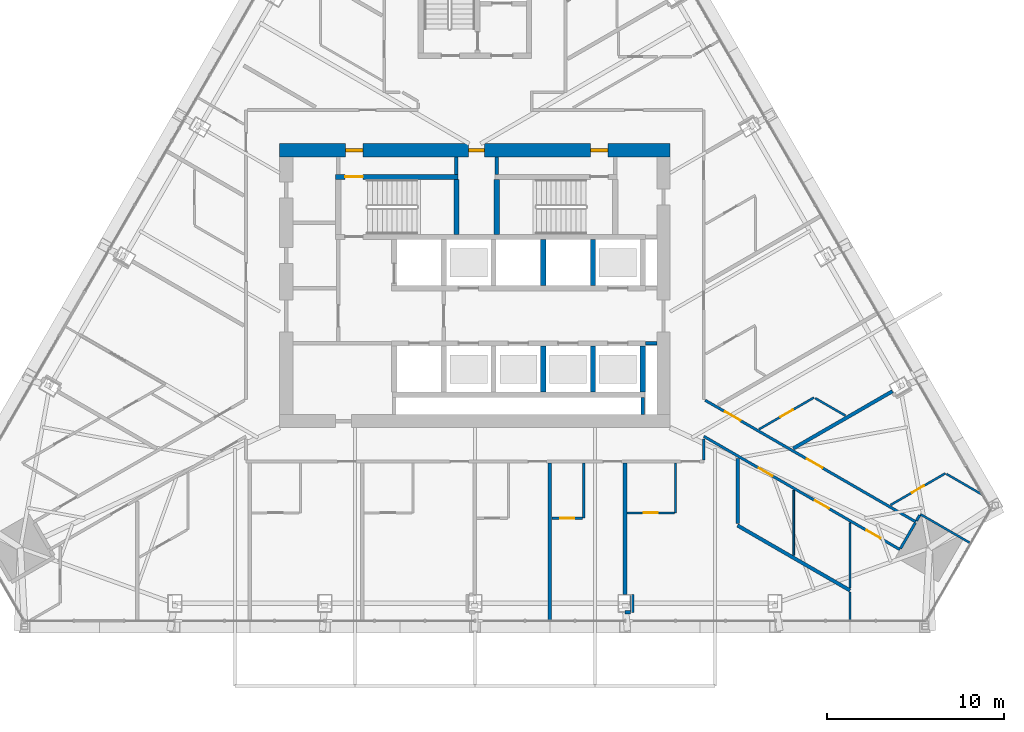
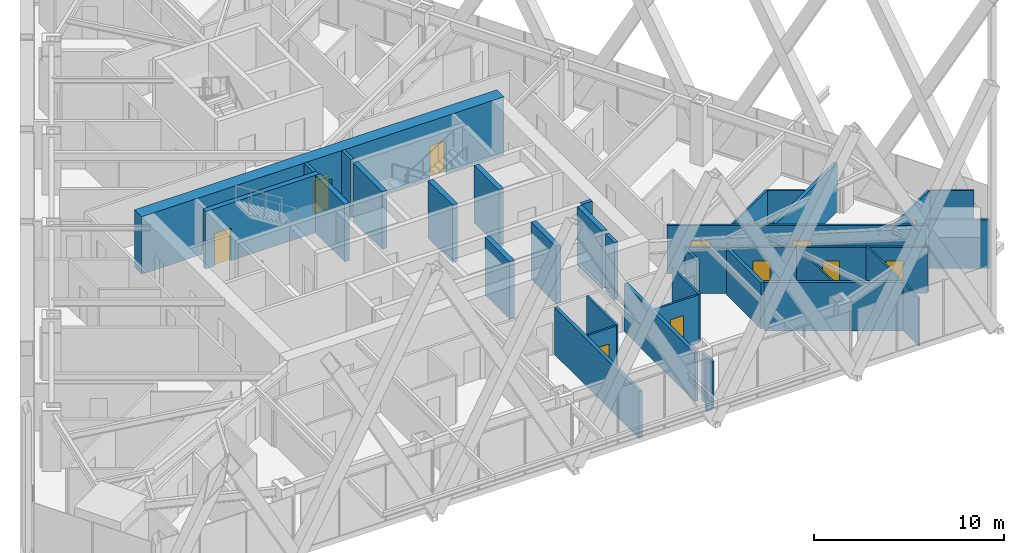
# One storey, part 14 of 19: 37 walls, 13 doors, 13 openings.
"""IFC4 building model written with IfcOpenShell, lengths in metres."""

from ifc_helpers import new_model, si_unit, direction, frame, frame_2d, origin, place, context, subcontext, project, spatial, rectangle, extrude, material, layer, layer_set, type_object, element, fill, save


model = new_model("IFC4")

# Units and contexts
model_context = context("Model", 3, precision=1e-05, world=origin(), true_north=direction((0.0, 1.0)))
body_context = subcontext(model_context, "Body", "Model", "MODEL_VIEW")
ifc_project = project(units=[si_unit("LENGTHUNIT", "METRE"), si_unit("AREAUNIT", "SQUARE_METRE"), si_unit("VOLUMEUNIT", "CUBIC_METRE"), si_unit("PLANEANGLEUNIT", "RADIAN"), si_unit("MASSUNIT", "GRAM", prefix="KILO")], contexts=[model_context])

# Site, building, storey
site_placement = place(None, origin())
site = spatial("IfcSite", under=ifc_project, at=site_placement, CompositionType="ELEMENT")
building_placement = place(site_placement, origin())
building = spatial("IfcBuilding", under=site, at=building_placement, Name="Firuza Gate Tower and Library", CompositionType="ELEMENT")
storey_placement = place(building_placement, frame((0.0, 0.0, 218.199951171875)))
storey = spatial("IfcBuildingStorey", under=building, at=storey_placement, Name="L51", CompositionType="ELEMENT", Elevation=218.199951171875)

# Walls
ifc_material_1 = material(Name="Plasterboard on steel studs", Category="steel")
ifc_layer_1 = layer(ifc_material_1, 0.199951171875)
ifc_layer_set_1 = layer_set([ifc_layer_1], Name="Core partition 200 EI 120")
wall_type_1 = type_object("IfcWallType", Name="Core partition 200 EI 120", PredefinedType="PARTITIONING", material=ifc_layer_set_1)
wall_1_placement = place(storey_placement, frame((84.60009765625, 71.75, 0.0), z_axis=(0.0, 0.0, 1.0), x_axis=(1.0, 0.0, 0.0)))
element("IfcWall", 1, at=wall_1_placement, inside=storey, type_object=wall_type_1, Name="Core partition L51 2", PredefinedType="PARTITIONING", context=body_context, shape_type="SweptSolid", body=[
    extrude(rectangle(XDim=0.64990234375, YDim=0.199951171875, at=frame_2d((0.324951171875, 0.0))), origin(), (0.0, 0.0, 1.0), 3.699951171875),
])
wall_2_placement = place(storey_placement, frame((84.449951171875, 67.75, 0.0), z_axis=(0.0, 0.0, 1.0), x_axis=(0.0, 1.0, 0.0)))
element("IfcWall", 2, at=wall_2_placement, inside=storey, type_object=wall_type_1, Name="Core partition L51 14", PredefinedType="PARTITIONING", context=body_context, shape_type="SweptSolid", body=[
    extrude(rectangle(XDim=0.949951171875, YDim=0.199951171875, at=frame_2d((0.47509765625, 0.0))), origin(), (0.0, 0.0, 1.0), 3.699951171875),
])
ifc_material_2 = material(Name="Plasterboard on steel studs", Category="steel")
ifc_layer_2 = layer(ifc_material_2, 0.199951171875)
ifc_layer_set_2 = layer_set([ifc_layer_2], Name="Core partition 200 EI 60")
wall_type_2 = type_object("IfcWallType", Name="Core partition 200 EI 60", PredefinedType="PARTITIONING", material=ifc_layer_set_2)
for number, where, z_axis, x_axis, name in (
    (3, (73.9599609375, 81.280029296875, 0.0), (0.0, 0.0, 1.0), (0.0, 1.0, 0.0), "Core partition L51 11"),
    (4, (76.239990234375, 81.280029296875, 0.0), (0.0, 0.0, 1.0), (0.0, 1.0, 0.0), "Core partition L51 12"),
):
    element("IfcWall", number, at=place(storey_placement, frame(where, z_axis=z_axis, x_axis=x_axis)), inside=storey, type_object=wall_type_2, Name=name, PredefinedType="PARTITIONING", context=body_context, shape_type="SweptSolid", body=[
        extrude(rectangle(XDim=0.969970703125, YDim=0.199951171875, at=frame_2d((0.48486328125, 0.0))), origin(), (0.0, 0.0, 1.0), 3.699951171875),
    ])
ifc_material_3 = material(Name="Concrete C80/95", Category="concrete")
ifc_layer_3 = layer(ifc_material_3, 0.300048828125)
ifc_layer_set_3 = layer_set([ifc_layer_3], Name="Core wall 300 C80/95")
wall_type_3 = type_object("IfcWallType", Name="Core wall 300 C80/95", PredefinedType="SHEAR", material=ifc_layer_set_3)
for number, where, z_axis, x_axis, name in (
    (5, (78.85009765625, 69.0, 0.0), (0.0, 0.0, 1.0), (0.0, 1.0, 0.0), "Core wall L51 14"),
    (6, (78.85009765625, 75.0, 0.0), (0.0, 0.0, 1.0), (0.0, 1.0, 0.0), "Core wall L51 15"),
    (7, (81.64990234375, 69.0, 0.0), (0.0, 0.0, 1.0), (0.0, 1.0, 0.0), "Core wall L51 16"),
    (8, (81.64990234375, 75.0, 0.0), (0.0, 0.0, 1.0), (0.0, 1.0, 0.0), "Core wall L51 17"),
    (9, (84.449951171875, 69.0, 0.0), (0.0, 0.0, 1.0), (0.0, 1.0, 0.0), "Core wall L51 18"),
):
    element("IfcWall", number, at=place(storey_placement, frame(where, z_axis=z_axis, x_axis=x_axis)), inside=storey, type_object=wall_type_3, Name=name, PredefinedType="SHEAR", context=body_context, shape_type="SweptSolid", body=[
        extrude(rectangle(XDim=2.60009765625, YDim=0.300048828125, at=frame_2d((1.300048828125, 0.0))), origin(), (0.0, 0.0, 1.0), 3.699951171875),
    ])

# Wall, opening, door
wall_3_placement = place(storey_placement, frame((67.14990234375, 81.1298828125, 0.0), z_axis=(0.0, 0.0, 1.0), x_axis=(1.0, 0.0, 0.0)))
wall_3 = element("IfcWall", 10, at=wall_3_placement, inside=storey, type_object=wall_type_3, Name="Core wall L51 21", PredefinedType="SHEAR", context=body_context, shape_type="SweptSolid", body=[
    extrude(rectangle(XDim=6.91015625, YDim=0.300048828125, at=frame_2d((3.455078125, 0.0))), origin(), (0.0, 0.0, 1.0), 3.699951171875),
])
opening_1_placement = place(wall_3_placement, frame((0.544921875, 0.0, 0.0)))
opening_1 = element("IfcOpeningElement", 11, at=opening_1_placement, cuts=wall_3, Name="Opening L51-K11", PredefinedType="OPENING", context=body_context, shape_type="SweptSolid", body=[
    extrude(rectangle(XDim=1.0, YDim=2.10009765625, at=frame_2d((0.5, 1.050048828125))), frame((0.0, 0.16015625, 0.0), z_axis=(0.0, -1.0, 0.0), x_axis=(1.0, 0.0, 0.0)), (0.0, 0.0, 1.0), 0.320068359375),
])
ifc_material_4 = material(Name="Steel", Category="steel")
door_type_1 = type_object("IfcDoorType", Name="Fire door 1000x2100 FD90", OperationType="NOTDEFINED", PredefinedType="DOOR", material=ifc_material_4)
door_1_placement = place(opening_1_placement, origin())
door_1 = element("IfcDoor", 12, at=door_1_placement, inside=storey, type_object=door_type_1, Name="Door L51-K11", OperationType="SINGLE_SWING_RIGHT", OverallHeight=2.10009765625, OverallWidth=1.0, PredefinedType="DOOR", context=body_context, shape_type="SweptSolid", body=[
    extrude(rectangle(XDim=1.0, YDim=2.10009765625, at=frame_2d((0.5, 1.050048828125))), frame((0.0, 0.02490234375, 0.0), z_axis=(0.0, -1.0, 0.0), x_axis=(1.0, 0.0, 0.0)), (0.0, 0.0, 1.0), 0.050048828125),
])
fill(opening_1, door_1)

# Walls
for number, where, z_axis, x_axis, name in (
    (13, (73.9599609375, 77.89990234375, 0.0), (0.0, 0.0, 1.0), (0.0, 1.0, 0.0), "Core wall L51 24"),
    (14, (76.239990234375, 77.89990234375, 0.0), (0.0, 0.0, 1.0), (0.0, 1.0, 0.0), "Core wall L51 25"),
):
    element("IfcWall", number, at=place(storey_placement, frame(where, z_axis=z_axis, x_axis=x_axis)), inside=storey, type_object=wall_type_3, Name=name, PredefinedType="SHEAR", context=body_context, shape_type="SweptSolid", body=[
        extrude(rectangle(XDim=3.080078125, YDim=0.300048828125, at=frame_2d((1.5400390625, 0.0))), origin(), (0.0, 0.0, 1.0), 3.699951171875),
    ])

# Wall, openings, doors
ifc_material_5 = material(Name="Concrete C80/95", Category="concrete")
ifc_layer_4 = layer(ifc_material_5, 0.75)
ifc_layer_set_4 = layer_set([ifc_layer_4], Name="Core wall 750 C80/95")
wall_type_4 = type_object("IfcWallType", Name="Core wall 750 C80/95", PredefinedType="SHEAR", material=ifc_layer_set_4)
wall_4_placement = place(storey_placement, frame((64.0, 82.625, 0.0), z_axis=(0.0, 0.0, 1.0), x_axis=(1.0, 0.0, 0.0)))
wall_4 = element("IfcWall", 15, at=wall_4_placement, inside=storey, type_object=wall_type_4, Name="Core wall L51 2", PredefinedType="SHEAR", context=body_context, shape_type="SweptSolid", body=[
    extrude(rectangle(XDim=22.0, YDim=0.75, at=frame_2d((11.0, 0.0))), origin(), (0.0, 0.0, 1.0), 3.699951171875),
])
opening_2_placement = place(wall_4_placement, frame((3.695068359375, 0.0, 0.0)))
opening_2 = element("IfcOpeningElement", 16, at=opening_2_placement, cuts=wall_4, Name="Opening L51-K12", PredefinedType="OPENING", context=body_context, shape_type="SweptSolid", body=[
    extrude(rectangle(XDim=1.0, YDim=2.10009765625, at=frame_2d((0.5, 1.050048828125))), frame((0.0, 0.385009765625, 0.0), z_axis=(0.0, -1.0, 0.0), x_axis=(1.0, 0.0, 0.0)), (0.0, 0.0, 1.0), 0.77001953125),
])
opening_3_placement = place(wall_4_placement, frame((17.5048828125, 0.0, 0.0)))
opening_3 = element("IfcOpeningElement", 17, at=opening_3_placement, cuts=wall_4, Name="Opening L51-K14", PredefinedType="OPENING", context=body_context, shape_type="SweptSolid", body=[
    extrude(rectangle(XDim=1.0, YDim=2.10009765625, at=frame_2d((0.5, 1.050048828125))), frame((0.0, 0.385009765625, 0.0), z_axis=(0.0, -1.0, 0.0), x_axis=(1.0, 0.0, 0.0)), (0.0, 0.0, 1.0), 0.77001953125),
])
opening_4_placement = place(wall_4_placement, frame((10.64990234375, 0.0, 0.0)))
opening_4 = element("IfcOpeningElement", 18, at=opening_4_placement, cuts=wall_4, Name="Opening L51-K25", PredefinedType="OPENING", context=body_context, shape_type="SweptSolid", body=[
    extrude(rectangle(XDim=0.89990234375, YDim=2.10009765625, at=frame_2d((0.449951171875, 1.050048828125))), frame((0.0, 0.385009765625, 0.0), z_axis=(0.0, -1.0, 0.0), x_axis=(1.0, 0.0, 0.0)), (0.0, 0.0, 1.0), 0.77001953125),
])
door_2_placement = place(opening_2_placement, origin())
door_2 = element("IfcDoor", 19, at=door_2_placement, inside=storey, type_object=door_type_1, Name="Door L51-K12", OperationType="SINGLE_SWING_LEFT", OverallHeight=2.10009765625, OverallWidth=1.0, PredefinedType="DOOR", context=body_context, shape_type="SweptSolid", body=[
    extrude(rectangle(XDim=1.0, YDim=2.10009765625, at=frame_2d((0.5, 1.050048828125))), frame((0.0, 0.094970703125, 0.0), z_axis=(0.0, -1.0, 0.0), x_axis=(1.0, 0.0, 0.0)), (0.0, 0.0, 1.0), 0.18994140625),
])
fill(opening_2, door_2)
door_3_placement = place(opening_3_placement, origin())
door_3 = element("IfcDoor", 20, at=door_3_placement, inside=storey, type_object=door_type_1, Name="Door L51-K14", OperationType="SINGLE_SWING_LEFT", OverallHeight=2.10009765625, OverallWidth=1.0, PredefinedType="DOOR", context=body_context, shape_type="SweptSolid", body=[
    extrude(rectangle(XDim=1.0, YDim=2.10009765625, at=frame_2d((0.5, 1.050048828125))), frame((0.0, 0.094970703125, 0.0), z_axis=(0.0, -1.0, 0.0), x_axis=(1.0, 0.0, 0.0)), (0.0, 0.0, 1.0), 0.18994140625),
])
fill(opening_3, door_3)
ifc_material_6 = material(Name="Steel", Category="steel")
door_type_2 = type_object("IfcDoorType", Name="Fire door 900x2100 FD30S", OperationType="NOTDEFINED", PredefinedType="DOOR", material=ifc_material_6)
door_4_placement = place(opening_4_placement, origin())
door_4 = element("IfcDoor", 21, at=door_4_placement, inside=storey, type_object=door_type_2, Name="Door L51-K25", OperationType="SINGLE_SWING_RIGHT", OverallHeight=2.10009765625, OverallWidth=0.89990234375, PredefinedType="DOOR", context=body_context, shape_type="SweptSolid", body=[
    extrude(rectangle(XDim=0.89990234375, YDim=2.10009765625, at=frame_2d((0.449951171875, 1.050048828125))), frame((0.0, 0.094970703125, 0.0), z_axis=(0.0, -1.0, 0.0), x_axis=(1.0, 0.0, 0.0)), (0.0, 0.0, 1.0), 0.18994140625),
])
fill(opening_4, door_4)

# Walls
ifc_material_7 = material(Name="Gypsum board partition")
ifc_layer_5 = layer(ifc_material_7, 0.14990234375)
ifc_layer_set_5 = layer_set([ifc_layer_5], Name="Corridor wall 150 double board on steel studs")
wall_type_5 = type_object("IfcWallType", Name="Corridor wall 150 double board on steel studs", PredefinedType="PARTITIONING", material=ifc_layer_set_5)
wall_5_placement = place(storey_placement, frame((98.98388671875, 60.200927734375, 0.0), z_axis=(0.0, 0.0, 1.0), x_axis=(0.499991515992, 0.866030301974, 0.0)))
element("IfcWall", 22, at=wall_5_placement, inside=storey, type_object=wall_type_5, Name="f:L51:w043", PredefinedType="PARTITIONING", context=body_context, shape_type="SweptSolid", body=[
    extrude(rectangle(XDim=1.6494140625, YDim=0.14990234375, at=frame_2d((0.82470703125, 0.0))), origin(), (0.0, 0.0, 1.0), 2.947021484375),
])
wall_6_placement = place(storey_placement, frame((87.89990234375, 65.175537109375, 0.0), z_axis=(0.0, 0.0, 1.0), x_axis=(0.0, 1.0, 0.0)))
element("IfcWall", 23, at=wall_6_placement, inside=storey, type_object=wall_type_5, Name="f:L51:w054", PredefinedType="PARTITIONING", context=body_context, shape_type="SweptSolid", body=[
    extrude(rectangle(XDim=1.20068359375, YDim=0.14990234375, at=frame_2d((0.600341796875, 0.0))), origin(), (0.0, 0.0, 1.0), 2.947021484375),
])

# Wall, openings, doors
wall_7_placement = place(storey_placement, frame((87.97509765625, 68.548095703125, 0.0), z_axis=(0.0, 0.0, 1.0), x_axis=(0.866024823711, -0.500001004715, 0.0)))
wall_7 = element("IfcWall", 24, at=wall_7_placement, inside=storey, type_object=wall_type_5, Name="f:L51:w107", PredefinedType="PARTITIONING", context=body_context, shape_type="SweptSolid", body=[
    extrude(rectangle(XDim=13.70703125, YDim=0.14990234375, at=frame_2d((6.853515625, 0.0))), origin(), (0.0, 0.0, 1.0), 3.10009765625),
])
opening_5_placement = place(wall_7_placement, frame((1.28271484375, 0.0, 0.0)))
opening_5 = element("IfcOpeningElement", 25, at=opening_5_placement, cuts=wall_7, Name="Opening L51-43", PredefinedType="OPENING", context=body_context, shape_type="SweptSolid", body=[
    extrude(rectangle(XDim=1.0, YDim=2.10009765625, at=frame_2d((0.5, 1.050048828125))), frame((0.0, 0.0849609375, 0.0), z_axis=(0.0, -1.0, 0.0), x_axis=(1.0, 0.0, 0.0)), (0.0, 0.0, 1.0), 0.169921875),
])
opening_6_placement = place(wall_7_placement, frame((6.620361328125, 0.0, 0.0)))
opening_6 = element("IfcOpeningElement", 26, at=opening_6_placement, cuts=wall_7, Name="Opening L51-44", PredefinedType="OPENING", context=body_context, shape_type="SweptSolid", body=[
    extrude(rectangle(XDim=1.0, YDim=2.10009765625, at=frame_2d((0.5, 1.050048828125))), frame((0.0, 0.0849609375, 0.0), z_axis=(0.0, -1.0, 0.0), x_axis=(1.0, 0.0, 0.0)), (0.0, 0.0, 1.0), 0.169921875),
])
ifc_material_8 = material(Name="Steel door and timber leaf", Category="steel")
door_type_3 = type_object("IfcDoorType", Name="Fire door 1000 x 2100 steel frame, timber leaf", OperationType="NOTDEFINED", PredefinedType="DOOR", material=ifc_material_8)
door_5_placement = place(opening_5_placement, origin())
door_5 = element("IfcDoor", 27, at=door_5_placement, inside=storey, type_object=door_type_3, Name="f:L51:d043", OperationType="SINGLE_SWING_LEFT", OverallHeight=2.10009765625, OverallWidth=1.0, PredefinedType="DOOR", context=body_context, shape_type="SweptSolid", body=[
    extrude(rectangle(XDim=1.0, YDim=2.10009765625, at=frame_2d((0.5, 1.050048828125))), frame((0.0, 0.02490234375, 0.0), z_axis=(0.0, -1.0, 0.0), x_axis=(1.0, 0.0, 0.0)), (0.0, 0.0, 1.0), 0.050048828125),
])
fill(opening_5, door_5)
door_6_placement = place(opening_6_placement, origin())
door_6 = element("IfcDoor", 28, at=door_6_placement, inside=storey, type_object=door_type_3, Name="f:L51:d044", OperationType="SINGLE_SWING_LEFT", OverallHeight=2.10009765625, OverallWidth=1.0, PredefinedType="DOOR", context=body_context, shape_type="SweptSolid", body=[
    extrude(rectangle(XDim=1.0, YDim=2.10009765625, at=frame_2d((0.5, 1.050048828125))), frame((0.0, 0.02490234375, 0.0), z_axis=(0.0, -1.0, 0.0), x_axis=(1.0, 0.0, 0.0)), (0.0, 0.0, 1.0), 0.050048828125),
])
fill(opening_6, door_6)

wall_8_placement = place(storey_placement, frame((98.9453125, 60.135986328125, 0.0), z_axis=(0.0, 0.0, 1.0), x_axis=(-0.866024604137, 0.500001385028, 0.0)))
wall_8 = element("IfcWall", 29, at=wall_8_placement, inside=storey, type_object=wall_type_5, Name="f:L51:w108", PredefinedType="PARTITIONING", context=body_context, shape_type="SweptSolid", body=[
    extrude(rectangle(XDim=12.75390625, YDim=0.14990234375, at=frame_2d((6.376953125, 0.0))), origin(), (0.0, 0.0, 1.0), 2.947021484375),
])
opening_7_placement = place(wall_8_placement, frame((1.271484375, 0.0, 0.0)))
opening_7 = element("IfcOpeningElement", 30, at=opening_7_placement, cuts=wall_8, Name="Opening L51-45", PredefinedType="OPENING", context=body_context, shape_type="SweptSolid", body=[
    extrude(rectangle(XDim=0.89990234375, YDim=2.10009765625, at=frame_2d((0.449951171875, 1.050048828125))), frame((0.0, 0.0849609375, 0.0), z_axis=(0.0, -1.0, 0.0), x_axis=(1.0, 0.0, 0.0)), (0.0, 0.0, 1.0), 0.169921875),
])
opening_8_placement = place(wall_8_placement, frame((4.62060546875, 0.0, 0.0)))
opening_8 = element("IfcOpeningElement", 31, at=opening_8_placement, cuts=wall_8, Name="Opening L51-46", PredefinedType="OPENING", context=body_context, shape_type="SweptSolid", body=[
    extrude(rectangle(XDim=0.89990234375, YDim=2.10009765625, at=frame_2d((0.449951171875, 1.050048828125))), frame((0.0, 0.0849609375, 0.0), z_axis=(0.0, -1.0, 0.0), x_axis=(1.0, 0.0, 0.0)), (0.0, 0.0, 1.0), 0.169921875),
])
opening_9_placement = place(wall_8_placement, frame((8.281982421875, 0.0, 0.0)))
opening_9 = element("IfcOpeningElement", 32, at=opening_9_placement, cuts=wall_8, Name="Opening L51-47", PredefinedType="OPENING", context=body_context, shape_type="SweptSolid", body=[
    extrude(rectangle(XDim=0.89990234375, YDim=2.10009765625, at=frame_2d((0.449951171875, 1.050048828125))), frame((0.0, 0.0849609375, 0.0), z_axis=(0.0, -1.0, 0.0), x_axis=(1.0, 0.0, 0.0)), (0.0, 0.0, 1.0), 0.169921875),
])
ifc_material_9 = material(Name="Steel door and timber leaf", Category="steel")
door_type_4 = type_object("IfcDoorType", Name="Fire door 900 x 2100 steel frame, timber leaf", OperationType="NOTDEFINED", PredefinedType="DOOR", material=ifc_material_9)
door_7_placement = place(opening_7_placement, origin())
door_7 = element("IfcDoor", 33, at=door_7_placement, inside=storey, type_object=door_type_4, Name="f:L51:d045", OperationType="SINGLE_SWING_LEFT", OverallHeight=2.10009765625, OverallWidth=0.89990234375, PredefinedType="DOOR", context=body_context, shape_type="SweptSolid", body=[
    extrude(rectangle(XDim=0.89990234375, YDim=2.10009765625, at=frame_2d((0.449951171875, 1.050048828125))), frame((0.0, 0.02490234375, 0.0), z_axis=(0.0, -1.0, 0.0), x_axis=(1.0, 0.0, 0.0)), (0.0, 0.0, 1.0), 0.050048828125),
])
fill(opening_7, door_7)
door_8_placement = place(opening_8_placement, origin())
door_8 = element("IfcDoor", 34, at=door_8_placement, inside=storey, type_object=door_type_4, Name="f:L51:d046", OperationType="SINGLE_SWING_RIGHT", OverallHeight=2.10009765625, OverallWidth=0.89990234375, PredefinedType="DOOR", context=body_context, shape_type="SweptSolid", body=[
    extrude(rectangle(XDim=0.89990234375, YDim=2.10009765625, at=frame_2d((0.449951171875, 1.050048828125))), frame((0.0, 0.02490234375, 0.0), z_axis=(0.0, -1.0, 0.0), x_axis=(1.0, 0.0, 0.0)), (0.0, 0.0, 1.0), 0.050048828125),
])
fill(opening_8, door_8)
door_9_placement = place(opening_9_placement, origin())
door_9 = element("IfcDoor", 35, at=door_9_placement, inside=storey, type_object=door_type_4, Name="f:L51:d047", OperationType="SINGLE_SWING_LEFT", OverallHeight=2.10009765625, OverallWidth=0.89990234375, PredefinedType="DOOR", context=body_context, shape_type="SweptSolid", body=[
    extrude(rectangle(XDim=0.89990234375, YDim=2.10009765625, at=frame_2d((0.449951171875, 1.050048828125))), frame((0.0, 0.02490234375, 0.0), z_axis=(0.0, -1.0, 0.0), x_axis=(1.0, 0.0, 0.0)), (0.0, 0.0, 1.0), 0.050048828125),
])
fill(opening_9, door_9)

# Walls
wall_9_placement = place(storey_placement, frame((99.883544921875, 61.759521484375, 0.0), z_axis=(0.0, 0.0, 1.0), x_axis=(0.500031897912, 0.866006986733, 0.0)))
element("IfcWall", 36, at=wall_9_placement, inside=storey, type_object=wall_type_5, Name="f:L51:w122", PredefinedType="PARTITIONING", context=body_context, shape_type="SweptSolid", body=[
    extrude(rectangle(XDim=0.3642578125, YDim=0.14990234375, at=frame_2d((0.18212890625, 0.0))), origin(), (0.0, 0.0, 1.0), 3.10009765625),
])
ifc_material_10 = material(Name="Gypsum board partition")
ifc_layer_6 = layer(ifc_material_10, 0.199951171875)
ifc_layer_set_6 = layer_set([ifc_layer_6], Name="Demising wall 200 acoustic double stud")
wall_type_6 = type_object("IfcWallType", Name="Demising wall 200 acoustic double stud", PredefinedType="PARTITIONING", material=ifc_layer_set_6)
wall_10_placement = place(storey_placement, frame((83.45556640625, 56.596923828125, 0.0), z_axis=(0.0, 0.0, 1.0), x_axis=(1.0, 0.0, 0.0)))
element("IfcWall", 37, at=wall_10_placement, inside=storey, type_object=wall_type_6, Name="f:L51:w001", PredefinedType="PARTITIONING", context=body_context, shape_type="SweptSolid", body=[
    extrude(rectangle(XDim=0.299560546875, YDim=0.199951171875, at=frame_2d((0.14990234375, 0.0))), origin(), (0.0, 0.0, 1.0), 3.10009765625),
])
wall_11_placement = place(storey_placement, frame((92.93798828125, 65.82958984375, 0.0), z_axis=(0.0, 0.0, 1.0), x_axis=(0.866041300655, 0.499972464802, 0.0)))
element("IfcWall", 38, at=wall_11_placement, inside=storey, type_object=wall_type_6, Name="f:L51:w020", PredefinedType="PARTITIONING", context=body_context, shape_type="SweptSolid", body=[
    extrude(rectangle(XDim=6.452392578125, YDim=0.199951171875, at=frame_2d((3.22607421875, 0.0))), origin(), (0.0, 0.0, 1.0), 3.10009765625),
])
wall_12_placement = place(storey_placement, frame((89.797119140625, 61.60693359375, 0.0), z_axis=(0.0, 0.0, 1.0), x_axis=(0.0, 1.0, 0.0)))
element("IfcWall", 39, at=wall_12_placement, inside=storey, type_object=wall_type_6, Name="f:L51:w053", PredefinedType="PARTITIONING", context=body_context, shape_type="SweptSolid", body=[
    extrude(rectangle(XDim=3.6640625, YDim=0.199951171875, at=frame_2d((1.83203125, 0.0))), origin(), (0.0, 0.0, 1.0), 2.947021484375),
])
wall_13_placement = place(storey_placement, frame((83.85595703125, 56.597900390625, 0.0), z_axis=(0.0, 0.0, 1.0), x_axis=(0.0, 1.0, 0.0)))
element("IfcWall", 40, at=wall_13_placement, inside=storey, type_object=wall_type_6, Name="f:L51:w057", PredefinedType="PARTITIONING", context=body_context, shape_type="SweptSolid", body=[
    extrude(rectangle(XDim=0.9990234375, YDim=0.199951171875, at=frame_2d((0.49951171875, 0.0))), origin(), (0.0, 0.0, 1.0), 3.02197265625),
])
wall_14_placement = place(storey_placement, frame((83.4560546875, 57.597412109375, 0.0), z_axis=(0.0, 0.0, 1.0), x_axis=(0.0, 1.0, 0.0)))
element("IfcWall", 41, at=wall_14_placement, inside=storey, type_object=wall_type_6, Name="f:L51:w058", PredefinedType="PARTITIONING", context=body_context, shape_type="SweptSolid", body=[
    extrude(rectangle(XDim=7.427490234375, YDim=0.199951171875, at=frame_2d((3.7138671875, 0.0))), origin(), (0.0, 0.0, 1.0), 3.10009765625),
])
wall_15_placement = place(storey_placement, frame((79.22802734375, 56.137451171875, 0.0), z_axis=(0.0, 0.0, 1.0), x_axis=(0.0, 1.0, 0.0)))
element("IfcWall", 42, at=wall_15_placement, inside=storey, type_object=wall_type_6, Name="f:L51:w064", PredefinedType="PARTITIONING", context=body_context, shape_type="SweptSolid", body=[
    extrude(rectangle(XDim=8.887451171875, YDim=0.199951171875, at=frame_2d((4.44384765625, 0.0))), origin(), (0.0, 0.0, 1.0), 3.02197265625),
])
wall_16_placement = place(storey_placement, frame((96.13916015625, 57.830078125, 0.0), z_axis=(0.0, 0.0, 1.0), x_axis=(-0.866014584968, 0.500018738272, 0.0)))
element("IfcWall", 43, at=wall_16_placement, inside=storey, type_object=wall_type_6, Name="f:L51:w110", PredefinedType="PARTITIONING", context=body_context, shape_type="SweptSolid", body=[
    extrude(rectangle(XDim=7.322998046875, YDim=0.199951171875, at=frame_2d((3.66162109375, 0.0))), origin(), (0.0, 0.0, 1.0), 3.10009765625),
])
ifc_material_11 = material(Name="Gypsum board partition")
ifc_layer_7 = layer(ifc_material_11, 0.10009765625)
ifc_layer_set_7 = layer_set([ifc_layer_7], Name="Partition 100 gypsum board on steel studs")
wall_type_7 = type_object("IfcWallType", Name="Partition 100 gypsum board on steel studs", PredefinedType="PARTITIONING", material=ifc_layer_set_7)
wall_17_placement = place(storey_placement, frame((96.138916015625, 56.137451171875, 0.0), z_axis=(0.0, 0.0, 1.0), x_axis=(0.0, 1.0, 0.0)))
element("IfcWall", 44, at=wall_17_placement, inside=storey, type_object=wall_type_7, Name="f:L51:w049", PredefinedType="PARTITIONING", context=body_context, shape_type="SweptSolid", body=[
    extrude(rectangle(XDim=1.606201171875, YDim=0.10009765625, at=frame_2d((0.80322265625, 0.0))), origin(), (0.0, 0.0, 1.0), 3.10009765625),
])
wall_18_placement = place(storey_placement, frame((92.968017578125, 59.80615234375, 0.0), z_axis=(0.0, 0.0, 1.0), x_axis=(0.0, 1.0, 0.0)))
element("IfcWall", 45, at=wall_18_placement, inside=storey, type_object=wall_type_7, Name="f:L51:w050", PredefinedType="PARTITIONING", context=body_context, shape_type="SweptSolid", body=[
    extrude(rectangle(XDim=3.6640625, YDim=0.10009765625, at=frame_2d((1.83203125, 0.0))), origin(), (0.0, 0.0, 1.0), 3.10009765625),
])
wall_19_placement = place(storey_placement, frame((96.138916015625, 57.974609375, 0.0), z_axis=(0.0, 0.0, 1.0), x_axis=(0.0, 1.0, 0.0)))
element("IfcWall", 46, at=wall_19_placement, inside=storey, type_object=wall_type_7, Name="f:L51:w123", PredefinedType="PARTITIONING", context=body_context, shape_type="SweptSolid", body=[
    extrude(rectangle(XDim=3.664794921875, YDim=0.10009765625, at=frame_2d((1.83251953125, 0.0))), origin(), (0.0, 0.0, 1.0), 3.10009765625),
])

# Wall, opening, door
ifc_material_12 = material(Name="Gypsum board partition")
ifc_layer_8 = layer(ifc_material_12, 0.1201171875)
ifc_layer_set_8 = layer_set([ifc_layer_8], Name="Wet-area partition 120 moisture-resistant board")
wall_type_8 = type_object("IfcWallType", Name="Wet-area partition 120 moisture-resistant board", PredefinedType="PARTITIONING", material=ifc_layer_set_8)
wall_20_placement = place(storey_placement, frame((79.337890625, 61.89990234375, 0.0), z_axis=(0.0, 0.0, 1.0), x_axis=(1.0, 0.0, 0.0)))
wall_20 = element("IfcWall", 47, at=wall_20_placement, inside=storey, type_object=wall_type_8, Name="f:L51:w004", PredefinedType="PARTITIONING", context=body_context, shape_type="SweptSolid", body=[
    extrude(rectangle(XDim=1.722412109375, YDim=0.1201171875, at=frame_2d((0.861328125, 0.0))), origin(), (0.0, 0.0, 1.0), 3.10009765625),
])
opening_10_placement = place(wall_20_placement, frame((0.461181640625, 0.0, 0.0)))
opening_10 = element("IfcOpeningElement", 48, at=opening_10_placement, cuts=wall_20, Name="Opening L51-02", PredefinedType="OPENING", context=body_context, shape_type="SweptSolid", body=[
    extrude(rectangle(XDim=0.800048828125, YDim=2.10009765625, at=frame_2d((0.39990234375, 1.050048828125))), frame((0.0, 0.070068359375, 0.0), z_axis=(0.0, -1.0, 0.0), x_axis=(1.0, 0.0, 0.0)), (0.0, 0.0, 1.0), 0.14013671875),
])
ifc_material_13 = material(Name="Timber door", Category="wood")
door_type_5 = type_object("IfcDoorType", Name="Door 800 x 2100 timber leaf", OperationType="NOTDEFINED", PredefinedType="DOOR", material=ifc_material_13)
door_10_placement = place(opening_10_placement, origin())
door_10 = element("IfcDoor", 49, at=door_10_placement, inside=storey, type_object=door_type_5, Name="f:L51:d002", OperationType="SINGLE_SWING_RIGHT", OverallHeight=2.10009765625, OverallWidth=0.800048828125, PredefinedType="DOOR", context=body_context, shape_type="SweptSolid", body=[
    extrude(rectangle(XDim=0.800048828125, YDim=2.10009765625, at=frame_2d((0.39990234375, 1.050048828125))), frame((0.0, 0.02490234375, 0.0), z_axis=(0.0, -1.0, 0.0), x_axis=(1.0, 0.0, 0.0)), (0.0, 0.0, 1.0), 0.050048828125),
])
fill(opening_10, door_10)

wall_21_placement = place(storey_placement, frame((83.565673828125, 62.199951171875, 0.0), z_axis=(0.0, 0.0, 1.0), x_axis=(1.0, 0.0, 0.0)))
wall_21 = element("IfcWall", 50, at=wall_21_placement, inside=storey, type_object=wall_type_8, Name="f:L51:w007", PredefinedType="PARTITIONING", context=body_context, shape_type="SweptSolid", body=[
    extrude(rectangle(XDim=2.673828125, YDim=0.1201171875, at=frame_2d((1.3369140625, 0.0))), origin(), (0.0, 0.0, 1.0), 3.10009765625),
])
opening_11_placement = place(wall_21_placement, frame((0.93701171875, 0.0, 0.0)))
opening_11 = element("IfcOpeningElement", 51, at=opening_11_placement, cuts=wall_21, Name="Opening L51-05", PredefinedType="OPENING", context=body_context, shape_type="SweptSolid", body=[
    extrude(rectangle(XDim=0.800048828125, YDim=2.10009765625, at=frame_2d((0.39990234375, 1.050048828125))), frame((0.0, 0.070068359375, 0.0), z_axis=(0.0, -1.0, 0.0), x_axis=(1.0, 0.0, 0.0)), (0.0, 0.0, 1.0), 0.14013671875),
])
door_11_placement = place(opening_11_placement, origin())
door_11 = element("IfcDoor", 52, at=door_11_placement, inside=storey, type_object=door_type_5, Name="f:L51:d005", OperationType="SINGLE_SWING_RIGHT", OverallHeight=2.10009765625, OverallWidth=0.800048828125, PredefinedType="DOOR", context=body_context, shape_type="SweptSolid", body=[
    extrude(rectangle(XDim=0.800048828125, YDim=2.10009765625, at=frame_2d((0.39990234375, 1.050048828125))), frame((0.0, 0.02490234375, 0.0), z_axis=(0.0, -1.0, 0.0), x_axis=(1.0, 0.0, 0.0)), (0.0, 0.0, 1.0), 0.050048828125),
])
fill(opening_11, door_11)

wall_22_placement = place(storey_placement, frame((101.509033203125, 64.429443359375, 0.0), z_axis=(0.0, 0.0, 1.0), x_axis=(-0.866028357664, -0.499994883695, 0.0)))
wall_22 = element("IfcWall", 53, at=wall_22_placement, inside=storey, type_object=wall_type_8, Name="f:L51:w018", PredefinedType="PARTITIONING", context=body_context, shape_type="SweptSolid", body=[
    extrude(rectangle(XDim=3.568359375, YDim=0.1201171875, at=frame_2d((1.7841796875, 0.0))), origin(), (0.0, 0.0, 1.0), 3.10009765625),
])
opening_12_placement = place(wall_22_placement, frame((1.38427734375, 0.0, 0.0)))
opening_12 = element("IfcOpeningElement", 54, at=opening_12_placement, cuts=wall_22, Name="Opening L51-16", PredefinedType="OPENING", context=body_context, shape_type="SweptSolid", body=[
    extrude(rectangle(XDim=0.800048828125, YDim=2.10009765625, at=frame_2d((0.39990234375, 1.050048828125))), frame((0.0, 0.070068359375, 0.0), z_axis=(0.0, -1.0, 0.0), x_axis=(1.0, 0.0, 0.0)), (0.0, 0.0, 1.0), 0.14013671875),
])
door_12_placement = place(opening_12_placement, origin())
door_12 = element("IfcDoor", 55, at=door_12_placement, inside=storey, type_object=door_type_5, Name="f:L51:d016", OperationType="SINGLE_SWING_RIGHT", OverallHeight=2.10009765625, OverallWidth=0.800048828125, PredefinedType="DOOR", context=body_context, shape_type="SweptSolid", body=[
    extrude(rectangle(XDim=0.800048828125, YDim=2.10009765625, at=frame_2d((0.39990234375, 1.050048828125))), frame((0.0, 0.02490234375, 0.0), z_axis=(0.0, -1.0, 0.0), x_axis=(1.0, 0.0, 0.0)), (0.0, 0.0, 1.0), 0.050048828125),
])
fill(opening_12, door_12)

wall_23_placement = place(storey_placement, frame((94.10888671875, 68.70166015625, 0.0), z_axis=(0.0, 0.0, 1.0), x_axis=(-0.866028357664, -0.499994883695, 0.0)))
wall_23 = element("IfcWall", 56, at=wall_23_placement, inside=storey, type_object=wall_type_8, Name="f:L51:w021", PredefinedType="PARTITIONING", context=body_context, shape_type="SweptSolid", body=[
    extrude(rectangle(XDim=3.568359375, YDim=0.1201171875, at=frame_2d((1.7841796875, 0.0))), origin(), (0.0, 0.0, 1.0), 3.10009765625),
])
opening_13_placement = place(wall_23_placement, frame((1.38427734375, 0.0, 0.0)))
opening_13 = element("IfcOpeningElement", 57, at=opening_13_placement, cuts=wall_23, Name="Opening L51-17", PredefinedType="OPENING", context=body_context, shape_type="SweptSolid", body=[
    extrude(rectangle(XDim=0.800048828125, YDim=2.10009765625, at=frame_2d((0.39990234375, 1.050048828125))), frame((0.0, 0.070068359375, 0.0), z_axis=(0.0, -1.0, 0.0), x_axis=(1.0, 0.0, 0.0)), (0.0, 0.0, 1.0), 0.14013671875),
])
door_13_placement = place(opening_13_placement, origin())
door_13 = element("IfcDoor", 58, at=door_13_placement, inside=storey, type_object=door_type_5, Name="f:L51:d017", OperationType="SINGLE_SWING_RIGHT", OverallHeight=2.10009765625, OverallWidth=0.800048828125, PredefinedType="DOOR", context=body_context, shape_type="SweptSolid", body=[
    extrude(rectangle(XDim=0.800048828125, YDim=2.10009765625, at=frame_2d((0.39990234375, 1.050048828125))), frame((0.0, 0.02490234375, 0.0), z_axis=(0.0, -1.0, 0.0), x_axis=(1.0, 0.0, 0.0)), (0.0, 0.0, 1.0), 0.050048828125),
])
fill(opening_13, door_13)

# Walls
wall_24_placement = place(storey_placement, frame((86.30908203125, 62.199951171875, 0.0), z_axis=(0.0, 0.0, 1.0), x_axis=(0.0, 1.0, 0.0)))
element("IfcWall", 59, at=wall_24_placement, inside=storey, type_object=wall_type_8, Name="f:L51:w056", PredefinedType="PARTITIONING", context=body_context, shape_type="SweptSolid", body=[
    extrude(rectangle(XDim=2.824951171875, YDim=0.1201171875, at=frame_2d((1.41259765625, 0.0))), origin(), (0.0, 0.0, 1.0), 3.10009765625),
])
wall_25_placement = place(storey_placement, frame((81.1298828125, 61.89990234375, 0.0), z_axis=(0.0, 0.0, 1.0), x_axis=(0.0, 1.0, 0.0)))
element("IfcWall", 60, at=wall_25_placement, inside=storey, type_object=wall_type_8, Name="f:L51:w062", PredefinedType="PARTITIONING", context=body_context, shape_type="SweptSolid", body=[
    extrude(rectangle(XDim=3.125, YDim=0.1201171875, at=frame_2d((1.5625, 0.0))), origin(), (0.0, 0.0, 1.0), 3.10009765625),
])
wall_26_placement = place(storey_placement, frame((103.57080078125, 63.239013671875, 0.0), z_axis=(0.0, 0.0, 1.0), x_axis=(-0.866011447264, 0.500024172624, 0.0)))
element("IfcWall", 61, at=wall_26_placement, inside=storey, type_object=wall_type_8, Name="f:L51:w102", PredefinedType="PARTITIONING", context=body_context, shape_type="SweptSolid", body=[
    extrude(rectangle(XDim=2.3115234375, YDim=0.1201171875, at=frame_2d((1.15576171875, 0.0))), origin(), (0.0, 0.0, 1.0), 3.10009765625),
])
wall_27_placement = place(storey_placement, frame((95.876708984375, 67.68115234375, 0.0), z_axis=(0.0, 0.0, 1.0), x_axis=(-0.866002090371, 0.500040377843, 0.0)))
element("IfcWall", 62, at=wall_27_placement, inside=storey, type_object=wall_type_8, Name="f:L51:w103", PredefinedType="PARTITIONING", context=body_context, shape_type="SweptSolid", body=[
    extrude(rectangle(XDim=1.971923828125, YDim=0.1201171875, at=frame_2d((0.98583984375, 0.0))), origin(), (0.0, 0.0, 1.0), 3.10009765625),
])
wall_28_placement = place(storey_placement, frame((102.9189453125, 60.49755859375, 0.0), z_axis=(0.0, 0.0, 1.0), x_axis=(-0.866003472149, 0.500037984783, 0.0)))
element("IfcWall", 63, at=wall_28_placement, inside=storey, type_object=wall_type_8, Name="f:L51:w105", PredefinedType="PARTITIONING", context=body_context, shape_type="SweptSolid", body=[
    extrude(rectangle(XDim=3.259521484375, YDim=0.1201171875, at=frame_2d((1.6298828125, 0.0))), origin(), (0.0, 0.0, 1.0), 3.10009765625),
])

save(model, "model.ifc")
